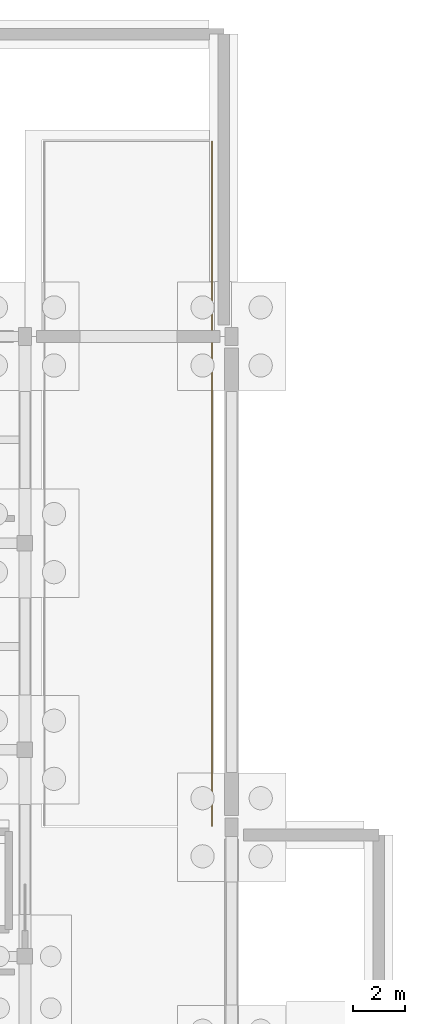
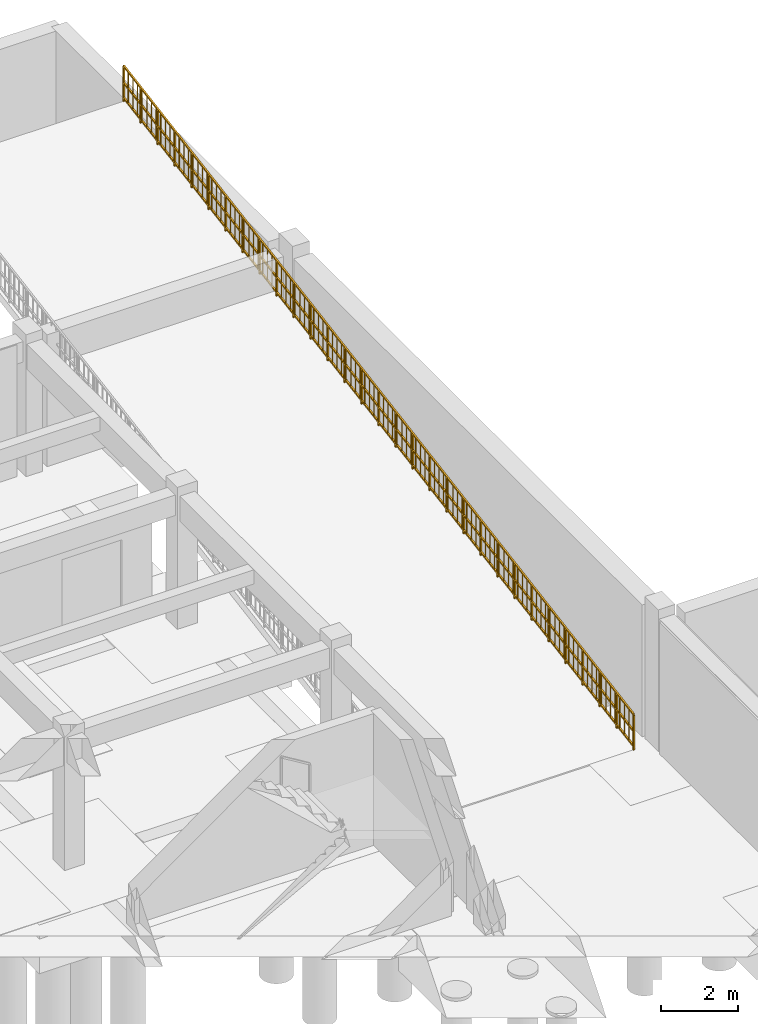
# One storey, part 10 of 11: 1 railing.
"""IFC4 building model written with IfcOpenShell, lengths in metres."""

import ifcopenshell
import ifcopenshell.guid

model = None  # the IFC model being written
_history = None  # IfcOwnerHistory: only IFC2X3 demands one
_inside = {}  # id of a spatial element -> (the spatial element, [elements in it])
_under = {}  # id of a project, library or spatial element -> (it, [spatial elements below it])
_declared = {}  # id of a project -> (the project, [libraries it declares])
_typed = {}  # id of a type object -> (the type object, [elements of that type])
_made_of = {}  # id of a material, layer set ... -> (it, [elements and type objects made of it])


def new_model(schema):
    """Start an empty IFC model of exactly this schema.

    Asked for "IFC4X3", IfcOpenShell would pick the latest addendum, in which some entities
    have other attributes; the version numbers below select the first issue.
    IFC2X3 requires an IfcOwnerHistory on every rooted entity: one is made here for all.
    """
    global model, _history
    if schema == "IFC4X3":
        model = ifcopenshell.file(schema_version=(4, 3, 0, 0))
    else:
        model = ifcopenshell.file(schema=schema)
    _inside.clear()
    _under.clear()
    _declared.clear()
    _typed.clear()
    _made_of.clear()
    _history = None
    if model.schema == "IFC2X3":
        org = make("IfcOrganization", Name="unknown")
        user = make(
            "IfcPersonAndOrganization",
            ThePerson=make("IfcPerson", FamilyName="unknown"),
            TheOrganization=org,
        )
        app = make(
            "IfcApplication",
            ApplicationDeveloper=org,
            Version="unknown",
            ApplicationFullName="unknown",
            ApplicationIdentifier="unknown",
        )
        _history = make(
            "IfcOwnerHistory",
            OwningUser=user,
            OwningApplication=app,
            ChangeAction="ADDED",
            CreationDate=0,
        )
    return model


def make(cls, **values):
    """One entity of the class cls with the attributes given. An attribute that is None is left unset."""
    return model.create_entity(
        cls, **{name: value for name, value in values.items() if value is not None}
    )


def rooted(cls, **values):
    """An entity with a GlobalId (a new one), such as an element, a storey or a relation."""
    return make(cls, GlobalId=ifcopenshell.guid.new(), OwnerHistory=_history, **values)


def si_unit(unit_type, name, prefix=None):
    """IfcSIUnit, for example si_unit("LENGTHUNIT", "METRE", prefix="MILLI")."""
    return make("IfcSIUnit", UnitType=unit_type, Prefix=prefix, Name=name)


def assignment(units):
    """IfcUnitAssignment: the units of a project."""
    return None if units is None else make("IfcUnitAssignment", Units=units)


def point(xyz):
    """IfcCartesianPoint."""
    return None if xyz is None else make("IfcCartesianPoint", Coordinates=xyz)


def direction(xyz):
    """IfcDirection."""
    return None if xyz is None else make("IfcDirection", DirectionRatios=xyz)


def frame(location, z_axis=None, x_axis=None):
    """IfcAxis2Placement3D, a coordinate frame: its origin and axes. An axis left out is left unset."""
    return make(
        "IfcAxis2Placement3D",
        Location=point(location),
        Axis=direction(z_axis),
        RefDirection=direction(x_axis),
    )


def frame_2d(location, x_axis=None):
    """IfcAxis2Placement2D, a coordinate frame in the plane: its origin and x axis."""
    return make(
        "IfcAxis2Placement2D", Location=point(location), RefDirection=direction(x_axis)
    )


def origin():
    """The frame at (0, 0, 0) with its axes left unset."""
    return frame((0.0, 0.0, 0.0))


def origin_2d():
    """The frame at (0, 0) in the plane with its x axis left unset."""
    return frame_2d((0.0, 0.0))


def place(relative_to, where):
    """IfcLocalPlacement: puts the frame where relative to a parent placement (None: the world)."""
    return make(
        "IfcLocalPlacement", PlacementRelTo=relative_to, RelativePlacement=where
    )


def context(
    kind, dimensions, precision=None, world=None, true_north=None, identifier=None
):
    """IfcGeometricRepresentationContext, for example the 3D "Model" context."""
    return make(
        "IfcGeometricRepresentationContext",
        ContextIdentifier=identifier,
        ContextType=kind,
        CoordinateSpaceDimension=dimensions,
        Precision=precision,
        WorldCoordinateSystem=world,
        TrueNorth=true_north,
    )


def subcontext(parent, identifier, kind, view, scale=None):
    """IfcGeometricRepresentationSubContext, for example "Body" below "Model"."""
    return make(
        "IfcGeometricRepresentationSubContext",
        ContextIdentifier=identifier,
        ContextType=kind,
        ParentContext=parent,
        TargetScale=scale,
        TargetView=view,
    )


def project(units=None, contexts=None):
    """IfcProject with its units and contexts."""
    return rooted(
        "IfcProject",
        Name="project",
        RepresentationContexts=contexts,
        UnitsInContext=assignment(units),
    )


def spatial(cls, under=None, at=None, **own):
    """A site, building, storey or space (cls), placed at a placement, below another one or the project."""
    s = rooted(cls, ObjectPlacement=at, **own)
    if under is not None:
        _under.setdefault(under.id(), (under, []))[1].append(s)
    return s


def profile(cls, at=None, kind="AREA", **sizes):
    """A parametric profile (cls). Its sizes go by their IFC names, for example OverallWidth=200.0."""
    return make(cls, ProfileType=kind, Position=at, **sizes)


def rectangle(**sizes):
    """IfcRectangleProfileDef."""
    return profile("IfcRectangleProfileDef", **sizes)


def extrude(swept, where, along, depth):
    """IfcExtrudedAreaSolid: the profile swept, set in the frame where, extruded along a direction by depth."""
    return make(
        "IfcExtrudedAreaSolid",
        SweptArea=swept,
        Position=where,
        ExtrudedDirection=direction(along),
        Depth=depth,
    )


def shape(context_of_items, identifier, shape_type, items):
    """IfcShapeRepresentation: the items that make up one representation, for example the "Body"."""
    return make(
        "IfcShapeRepresentation",
        ContextOfItems=context_of_items,
        RepresentationIdentifier=identifier,
        RepresentationType=shape_type,
        Items=items,
    )


def material(Name=None, Category=None):
    """IfcMaterial."""
    return make("IfcMaterial", Name=Name, Category=Category)


def layer(
    of_material, thickness, ventilated=None, Name=None, Category=None, Priority=None
):
    """IfcMaterialLayer: one layer of a wall or slab, of a material (None: an air gap)."""
    return make(
        "IfcMaterialLayer",
        Material=of_material,
        LayerThickness=thickness,
        IsVentilated=ventilated,
        Name=Name,
        Category=Category,
        Priority=Priority,
    )


def layer_set(layers, Name=None):
    """IfcMaterialLayerSet."""
    return make("IfcMaterialLayerSet", MaterialLayers=layers, LayerSetName=Name)


def made_of(thing, what):
    """Note that an element or type object is made of a material, layer set ...; save() writes the relation."""
    if what is not None:
        _made_of.setdefault(what.id(), (what, []))[1].append(thing)
    return thing


def type_object(cls, material=None, **own):
    """A type object (cls), such as IfcWallType, which elements share."""
    return made_of(rooted(cls, **own), material)


def element(
    cls,
    number,
    at=None,
    inside=None,
    cuts=None,
    type_object=None,
    material=None,
    context=None,
    identifier="Body",
    shape_type=None,
    held_by="IfcProductDefinitionShape",
    body=None,
    shapes=None,
    **own,
):
    """One element of the class cls, such as IfcWall. Its Tag is "e" and its number.

    at: its placement. inside: the storey or other place that contains it. cuts: it is an
    opening in that element (IfcRelVoidsElement). A single representation is given by context,
    identifier, shape_type and body (its items); several are given by shapes. held_by: the class
    of the entity that holds the representations. save() writes the other relations.
    """
    e = rooted(cls, Tag="e%d" % number, ObjectPlacement=at, **own)
    if body is not None:
        shapes = [shape(context, identifier, shape_type, body)]
    if shapes is not None:
        e.Representation = make(held_by, Representations=shapes)
    if inside is not None:
        _inside.setdefault(inside.id(), (inside, []))[1].append(e)
    if cuts is not None:
        rooted(
            "IfcRelVoidsElement", RelatingBuildingElement=cuts, RelatedOpeningElement=e
        )
    if type_object is not None:
        _typed.setdefault(type_object.id(), (type_object, []))[1].append(e)
    return made_of(e, material)


def aggregate(whole, parts):
    """IfcRelAggregates: a whole, such as a stair, and the parts it consists of."""
    return rooted("IfcRelAggregates", RelatingObject=whole, RelatedObjects=parts)


def save(model, path):
    """Write the relations noted so far, then the file.

    IfcRelAggregates (storeys below a building ...), IfcRelContainedInSpatialStructure (elements
    in a storey), IfcRelDefinesByType, IfcRelAssociatesMaterial and IfcRelDeclares: one each for
    every whole, place, type object, material and project.
    """
    for whole, parts in _under.values():
        aggregate(whole, parts)
    for where, things in _inside.values():
        rooted(
            "IfcRelContainedInSpatialStructure",
            RelatedElements=things,
            RelatingStructure=where,
        )
    for kind, things in _typed.values():
        rooted("IfcRelDefinesByType", RelatedObjects=things, RelatingType=kind)
    for what, things in _made_of.values():
        rooted("IfcRelAssociatesMaterial", RelatedObjects=things, RelatingMaterial=what)
    for by, libraries in _declared.values():
        rooted("IfcRelDeclares", RelatingContext=by, RelatedDefinitions=libraries)
    model.write(path)


model = new_model("IFC4")

# Units and contexts
model_context = context("Model", 3, precision=1e-05, world=origin(), true_north=direction((0.0, 1.0)))
body_context = subcontext(model_context, "Body", "Model", "MODEL_VIEW")
ifc_project = project(units=[si_unit("LENGTHUNIT", "METRE"), si_unit("AREAUNIT", "SQUARE_METRE"), si_unit("VOLUMEUNIT", "CUBIC_METRE"), si_unit("PLANEANGLEUNIT", "RADIAN"), si_unit("MASSUNIT", "GRAM", prefix="KILO")], contexts=[model_context])

# Site, building, storey
site_placement = place(None, origin())
site = spatial("IfcSite", under=ifc_project, at=site_placement, CompositionType="ELEMENT")
building_placement = place(site_placement, origin())
building = spatial("IfcBuilding", under=site, at=building_placement, Name="Serraluz Foothill Cableway Terminal", CompositionType="ELEMENT")
storey_placement = place(building_placement, frame((0.0, 0.0, -4.5)))
storey = spatial("IfcBuildingStorey", under=building, at=storey_placement, Name="B1", CompositionType="ELEMENT", Elevation=-4.5)

# Railing
ifc_material = material(Name="Steel ASTM A572 Grade 50", Category="steel")
ifc_layer = layer(ifc_material, 0.054931640625, Name="Steel ASTM A572 Grade 50", Category="steel")
ifc_layer_set = layer_set([ifc_layer], Name="Steel ASTM A572 Grade 50")
railing_type = type_object("IfcRailingType", Name="TYP-RL-GRD-1150", PredefinedType="GUARDRAIL", material=ifc_layer_set)
railing_placement = place(storey_placement, frame((111.239990234375, 85.050048828125, 0.0)))
element("IfcRailing", 1, at=railing_placement, inside=storey, type_object=railing_type, Name="GUARDRAIL GRD-B1-RMP-E", PredefinedType="GUARDRAIL", context=body_context, shape_type="SweptSolid", body=[
    extrude(rectangle(XDim=0.048095703125, YDim=0.048095703125, at=origin_2d()), frame((0.0, 0.0, 1.1259765625), z_axis=(0.0, 0.985888544643, 0.167403039228), x_axis=(-1.0, 0.0, 0.0)), (0.0, 0.0, 1.0), 2.687744140625),
    extrude(rectangle(XDim=0.048095703125, YDim=0.048095703125, at=origin_2d()), frame((0.0, 0.0, 0.597900390625), z_axis=(0.0, 0.985888544643, 0.167403039228), x_axis=(-1.0, 0.0, 0.0)), (0.0, 0.0, 1.0), 2.687744140625),
    extrude(rectangle(XDim=0.048095703125, YDim=0.048095703125, at=origin_2d()), frame((0.0, 0.0, 0.1201171875), z_axis=(0.0, 0.985888544643, 0.167403039228), x_axis=(-1.0, 0.0, 0.0)), (0.0, 0.0, 1.0), 2.687744140625),
    extrude(rectangle(XDim=0.02001953125, YDim=0.02001953125, at=origin_2d()), frame((0.0, 0.240966796875, 0.160888671875)), (0.0, 0.0, 1.0), 0.981689453125),
    extrude(rectangle(XDim=0.02001953125, YDim=0.02001953125, at=origin_2d()), frame((0.0, 0.481689453125, 0.201904296875)), (0.0, 0.0, 1.0), 0.981689453125),
    extrude(rectangle(XDim=0.02001953125, YDim=0.02001953125, at=origin_2d()), frame((0.0, 0.72265625, 0.24267578125)), (0.0, 0.0, 1.0), 0.981689453125),
    extrude(rectangle(XDim=0.02001953125, YDim=0.02001953125, at=origin_2d()), frame((0.0, 0.963623046875, 0.28369140625)), (0.0, 0.0, 1.0), 0.981689453125),
    extrude(rectangle(XDim=0.02001953125, YDim=0.02001953125, at=origin_2d()), frame((0.0, 1.20458984375, 0.324462890625)), (0.0, 0.0, 1.0), 0.981689453125),
    extrude(rectangle(XDim=0.02001953125, YDim=0.02001953125, at=origin_2d()), frame((0.0, 1.4453125, 0.365478515625)), (0.0, 0.0, 1.0), 0.981689453125),
    extrude(rectangle(XDim=0.02001953125, YDim=0.02001953125, at=origin_2d()), frame((0.0, 1.686279296875, 0.40625)), (0.0, 0.0, 1.0), 0.981689453125),
    extrude(rectangle(XDim=0.02001953125, YDim=0.02001953125, at=origin_2d()), frame((0.0, 1.92724609375, 0.447265625)), (0.0, 0.0, 1.0), 0.981689453125),
    extrude(rectangle(XDim=0.02001953125, YDim=0.02001953125, at=origin_2d()), frame((0.0, 2.168212890625, 0.488037109375)), (0.0, 0.0, 1.0), 0.981689453125),
    extrude(rectangle(XDim=0.02001953125, YDim=0.02001953125, at=origin_2d()), frame((0.0, 2.408935546875, 0.529052734375)), (0.0, 0.0, 1.0), 0.981689453125),
    extrude(rectangle(XDim=0.048095703125, YDim=0.048095703125, at=origin_2d()), frame((0.0, 2.64990234375, 1.57568359375), z_axis=(0.0, 0.985891089751, 0.1673880496), x_axis=(-1.0, 0.0, 0.0)), (0.0, 0.0, 1.0), 2.68798828125),
    extrude(rectangle(XDim=0.048095703125, YDim=0.048095703125, at=origin_2d()), frame((0.0, 2.64990234375, 1.0478515625), z_axis=(0.0, 0.985891089751, 0.1673880496), x_axis=(-1.0, 0.0, 0.0)), (0.0, 0.0, 1.0), 2.68798828125),
    extrude(rectangle(XDim=0.048095703125, YDim=0.048095703125, at=origin_2d()), frame((0.0, 2.64990234375, 0.570068359375), z_axis=(0.0, 0.985891089751, 0.1673880496), x_axis=(-1.0, 0.0, 0.0)), (0.0, 0.0, 1.0), 2.68798828125),
    extrude(rectangle(XDim=0.02001953125, YDim=0.02001953125, at=origin_2d()), frame((0.0, 2.890869140625, 0.61083984375)), (0.0, 0.0, 1.0), 0.981689453125),
    extrude(rectangle(XDim=0.02001953125, YDim=0.02001953125, at=origin_2d()), frame((0.0, 3.1318359375, 0.65185546875)), (0.0, 0.0, 1.0), 0.981689453125),
    extrude(rectangle(XDim=0.02001953125, YDim=0.02001953125, at=origin_2d()), frame((0.0, 3.37255859375, 0.692626953125)), (0.0, 0.0, 1.0), 0.981689453125),
    extrude(rectangle(XDim=0.02001953125, YDim=0.02001953125, at=origin_2d()), frame((0.0, 3.613525390625, 0.733642578125)), (0.0, 0.0, 1.0), 0.981689453125),
    extrude(rectangle(XDim=0.02001953125, YDim=0.02001953125, at=origin_2d()), frame((0.0, 3.8544921875, 0.7744140625)), (0.0, 0.0, 1.0), 0.981689453125),
    extrude(rectangle(XDim=0.02001953125, YDim=0.02001953125, at=origin_2d()), frame((0.0, 4.095458984375, 0.8154296875)), (0.0, 0.0, 1.0), 0.981689453125),
    extrude(rectangle(XDim=0.02001953125, YDim=0.02001953125, at=origin_2d()), frame((0.0, 4.33642578125, 0.856201171875)), (0.0, 0.0, 1.0), 0.981689453125),
    extrude(rectangle(XDim=0.02001953125, YDim=0.02001953125, at=origin_2d()), frame((0.0, 4.577392578125, 0.897216796875)), (0.0, 0.0, 1.0), 0.981689453125),
    extrude(rectangle(XDim=0.02001953125, YDim=0.02001953125, at=origin_2d()), frame((0.0, 4.818115234375, 0.93798828125)), (0.0, 0.0, 1.0), 0.981689453125),
    extrude(rectangle(XDim=0.02001953125, YDim=0.02001953125, at=origin_2d()), frame((0.0, 5.05908203125, 0.97900390625)), (0.0, 0.0, 1.0), 0.981689453125),
    extrude(rectangle(XDim=0.048095703125, YDim=0.048095703125, at=origin_2d()), frame((0.0, 5.300048828125, 2.02587890625), z_axis=(0.0, 0.985873549967, 0.16749132358), x_axis=(-1.0, 0.0, 0.0)), (0.0, 0.0, 1.0), 2.68798828125),
    extrude(rectangle(XDim=0.048095703125, YDim=0.048095703125, at=origin_2d()), frame((0.0, 5.300048828125, 1.497802734375), z_axis=(0.0, 0.985873549967, 0.16749132358), x_axis=(-1.0, 0.0, 0.0)), (0.0, 0.0, 1.0), 2.68798828125),
    extrude(rectangle(XDim=0.048095703125, YDim=0.048095703125, at=origin_2d()), frame((0.0, 5.300048828125, 1.02001953125), z_axis=(0.0, 0.985873549967, 0.16749132358), x_axis=(-1.0, 0.0, 0.0)), (0.0, 0.0, 1.0), 2.68798828125),
    extrude(rectangle(XDim=0.02001953125, YDim=0.02001953125, at=origin_2d()), frame((0.0, 5.541015625, 1.060791015625)), (0.0, 0.0, 1.0), 0.981689453125),
    extrude(rectangle(XDim=0.02001953125, YDim=0.02001953125, at=origin_2d()), frame((0.0, 5.78173828125, 1.101806640625)), (0.0, 0.0, 1.0), 0.981689453125),
    extrude(rectangle(XDim=0.02001953125, YDim=0.02001953125, at=origin_2d()), frame((0.0, 6.022705078125, 1.142578125)), (0.0, 0.0, 1.0), 0.981689453125),
    extrude(rectangle(XDim=0.02001953125, YDim=0.02001953125, at=origin_2d()), frame((0.0, 6.263671875, 1.18359375)), (0.0, 0.0, 1.0), 0.981689453125),
    extrude(rectangle(XDim=0.02001953125, YDim=0.02001953125, at=origin_2d()), frame((0.0, 6.504638671875, 1.224609375)), (0.0, 0.0, 1.0), 0.981689453125),
    extrude(rectangle(XDim=0.02001953125, YDim=0.02001953125, at=origin_2d()), frame((0.0, 6.745361328125, 1.265380859375)), (0.0, 0.0, 1.0), 0.981689453125),
    extrude(rectangle(XDim=0.02001953125, YDim=0.02001953125, at=origin_2d()), frame((0.0, 6.986328125, 1.306396484375)), (0.0, 0.0, 1.0), 0.981689453125),
    extrude(rectangle(XDim=0.02001953125, YDim=0.02001953125, at=origin_2d()), frame((0.0, 7.227294921875, 1.347412109375)), (0.0, 0.0, 1.0), 0.981689453125),
    extrude(rectangle(XDim=0.02001953125, YDim=0.02001953125, at=origin_2d()), frame((0.0, 7.46826171875, 1.38818359375)), (0.0, 0.0, 1.0), 0.981689453125),
    extrude(rectangle(XDim=0.02001953125, YDim=0.02001953125, at=origin_2d()), frame((0.0, 7.708984375, 1.42919921875)), (0.0, 0.0, 1.0), 0.981689453125),
    extrude(rectangle(XDim=0.048095703125, YDim=0.048095703125, at=origin_2d()), frame((0.0, 7.949951171875, 2.47607421875), z_axis=(0.0, 0.985888544643, 0.167403039228), x_axis=(-1.0, 0.0, 0.0)), (0.0, 0.0, 1.0), 2.687744140625),
    extrude(rectangle(XDim=0.048095703125, YDim=0.048095703125, at=origin_2d()), frame((0.0, 7.949951171875, 1.947998046875), z_axis=(0.0, 0.985888544643, 0.167403039228), x_axis=(-1.0, 0.0, 0.0)), (0.0, 0.0, 1.0), 2.687744140625),
    extrude(rectangle(XDim=0.048095703125, YDim=0.048095703125, at=origin_2d()), frame((0.0, 7.949951171875, 1.47021484375), z_axis=(0.0, 0.985888544643, 0.167403039228), x_axis=(-1.0, 0.0, 0.0)), (0.0, 0.0, 1.0), 2.687744140625),
    extrude(rectangle(XDim=0.02001953125, YDim=0.02001953125, at=origin_2d()), frame((0.0, 8.19091796875, 1.510986328125)), (0.0, 0.0, 1.0), 0.981689453125),
    extrude(rectangle(XDim=0.02001953125, YDim=0.02001953125, at=origin_2d()), frame((0.0, 8.431640625, 1.552001953125)), (0.0, 0.0, 1.0), 0.981689453125),
    extrude(rectangle(XDim=0.02001953125, YDim=0.02001953125, at=origin_2d()), frame((0.0, 8.672607421875, 1.5927734375)), (0.0, 0.0, 1.0), 0.981689453125),
    extrude(rectangle(XDim=0.02001953125, YDim=0.02001953125, at=origin_2d()), frame((0.0, 8.91357421875, 1.6337890625)), (0.0, 0.0, 1.0), 0.981689453125),
    extrude(rectangle(XDim=0.02001953125, YDim=0.02001953125, at=origin_2d()), frame((0.0, 9.154541015625, 1.674560546875)), (0.0, 0.0, 1.0), 0.981689453125),
    extrude(rectangle(XDim=0.02001953125, YDim=0.02001953125, at=origin_2d()), frame((0.0, 9.395263671875, 1.715576171875)), (0.0, 0.0, 1.0), 0.981689453125),
    extrude(rectangle(XDim=0.02001953125, YDim=0.02001953125, at=origin_2d()), frame((0.0, 9.63623046875, 1.75634765625)), (0.0, 0.0, 1.0), 0.981689453125),
    extrude(rectangle(XDim=0.02001953125, YDim=0.02001953125, at=origin_2d()), frame((0.0, 9.877197265625, 1.79736328125)), (0.0, 0.0, 1.0), 0.981689453125),
    extrude(rectangle(XDim=0.02001953125, YDim=0.02001953125, at=origin_2d()), frame((0.0, 10.1181640625, 1.838134765625)), (0.0, 0.0, 1.0), 0.981689453125),
    extrude(rectangle(XDim=0.02001953125, YDim=0.02001953125, at=origin_2d()), frame((0.0, 10.35888671875, 1.879150390625)), (0.0, 0.0, 1.0), 0.981689453125),
    extrude(rectangle(XDim=0.048095703125, YDim=0.048095703125, at=origin_2d()), frame((0.0, 10.599853515625, 2.92578125), z_axis=(0.0, 0.985891089751, 0.1673880496), x_axis=(-1.0, 0.0, 0.0)), (0.0, 0.0, 1.0), 2.68798828125),
    extrude(rectangle(XDim=0.048095703125, YDim=0.048095703125, at=origin_2d()), frame((0.0, 10.599853515625, 2.39794921875), z_axis=(0.0, 0.985891089751, 0.1673880496), x_axis=(-1.0, 0.0, 0.0)), (0.0, 0.0, 1.0), 2.68798828125),
    extrude(rectangle(XDim=0.048095703125, YDim=0.048095703125, at=origin_2d()), frame((0.0, 10.599853515625, 1.920166015625), z_axis=(0.0, 0.985891089751, 0.1673880496), x_axis=(-1.0, 0.0, 0.0)), (0.0, 0.0, 1.0), 2.68798828125),
    extrude(rectangle(XDim=0.02001953125, YDim=0.02001953125, at=origin_2d()), frame((0.0, 10.8408203125, 1.9609375)), (0.0, 0.0, 1.0), 0.981689453125),
    extrude(rectangle(XDim=0.02001953125, YDim=0.02001953125, at=origin_2d()), frame((0.0, 11.081787109375, 2.001953125)), (0.0, 0.0, 1.0), 0.981689453125),
    extrude(rectangle(XDim=0.02001953125, YDim=0.02001953125, at=origin_2d()), frame((0.0, 11.322509765625, 2.042724609375)), (0.0, 0.0, 1.0), 0.981689453125),
    extrude(rectangle(XDim=0.02001953125, YDim=0.02001953125, at=origin_2d()), frame((0.0, 11.5634765625, 2.083740234375)), (0.0, 0.0, 1.0), 0.981689453125),
    extrude(rectangle(XDim=0.02001953125, YDim=0.02001953125, at=origin_2d()), frame((0.0, 11.804443359375, 2.12451171875)), (0.0, 0.0, 1.0), 0.981689453125),
    extrude(rectangle(XDim=0.02001953125, YDim=0.02001953125, at=origin_2d()), frame((0.0, 12.04541015625, 2.16552734375)), (0.0, 0.0, 1.0), 0.981689453125),
    extrude(rectangle(XDim=0.02001953125, YDim=0.02001953125, at=origin_2d()), frame((0.0, 12.286376953125, 2.206298828125)), (0.0, 0.0, 1.0), 0.981689453125),
    extrude(rectangle(XDim=0.02001953125, YDim=0.02001953125, at=origin_2d()), frame((0.0, 12.52734375, 2.247314453125)), (0.0, 0.0, 1.0), 0.981689453125),
    extrude(rectangle(XDim=0.02001953125, YDim=0.02001953125, at=origin_2d()), frame((0.0, 12.76806640625, 2.2880859375)), (0.0, 0.0, 1.0), 0.981689453125),
    extrude(rectangle(XDim=0.02001953125, YDim=0.02001953125, at=origin_2d()), frame((0.0, 13.009033203125, 2.3291015625)), (0.0, 0.0, 1.0), 0.981689453125),
    extrude(rectangle(XDim=0.048095703125, YDim=0.048095703125, at=origin_2d()), frame((0.0, 13.25, 3.3759765625), z_axis=(0.0, 0.985888544643, 0.167403039228), x_axis=(-1.0, 0.0, 0.0)), (0.0, 0.0, 1.0), 2.687744140625),
    extrude(rectangle(XDim=0.048095703125, YDim=0.048095703125, at=origin_2d()), frame((0.0, 13.25, 2.847900390625), z_axis=(0.0, 0.985888544643, 0.167403039228), x_axis=(-1.0, 0.0, 0.0)), (0.0, 0.0, 1.0), 2.687744140625),
    extrude(rectangle(XDim=0.048095703125, YDim=0.048095703125, at=origin_2d()), frame((0.0, 13.25, 2.3701171875), z_axis=(0.0, 0.985888544643, 0.167403039228), x_axis=(-1.0, 0.0, 0.0)), (0.0, 0.0, 1.0), 2.687744140625),
    extrude(rectangle(XDim=0.02001953125, YDim=0.02001953125, at=origin_2d()), frame((0.0, 13.490966796875, 2.410888671875)), (0.0, 0.0, 1.0), 0.981689453125),
    extrude(rectangle(XDim=0.02001953125, YDim=0.02001953125, at=origin_2d()), frame((0.0, 13.731689453125, 2.451904296875)), (0.0, 0.0, 1.0), 0.981689453125),
    extrude(rectangle(XDim=0.02001953125, YDim=0.02001953125, at=origin_2d()), frame((0.0, 13.97265625, 2.49267578125)), (0.0, 0.0, 1.0), 0.981689453125),
    extrude(rectangle(XDim=0.02001953125, YDim=0.02001953125, at=origin_2d()), frame((0.0, 14.213623046875, 2.53369140625)), (0.0, 0.0, 1.0), 0.981689453125),
    extrude(rectangle(XDim=0.02001953125, YDim=0.02001953125, at=origin_2d()), frame((0.0, 14.45458984375, 2.574462890625)), (0.0, 0.0, 1.0), 0.981689453125),
    extrude(rectangle(XDim=0.02001953125, YDim=0.02001953125, at=origin_2d()), frame((0.0, 14.6953125, 2.615478515625)), (0.0, 0.0, 1.0), 0.981689453125),
    extrude(rectangle(XDim=0.02001953125, YDim=0.02001953125, at=origin_2d()), frame((0.0, 14.936279296875, 2.65625)), (0.0, 0.0, 1.0), 0.981689453125),
    extrude(rectangle(XDim=0.02001953125, YDim=0.02001953125, at=origin_2d()), frame((0.0, 15.17724609375, 2.697265625)), (0.0, 0.0, 1.0), 0.981689453125),
    extrude(rectangle(XDim=0.02001953125, YDim=0.02001953125, at=origin_2d()), frame((0.0, 15.418212890625, 2.738037109375)), (0.0, 0.0, 1.0), 0.981689453125),
    extrude(rectangle(XDim=0.02001953125, YDim=0.02001953125, at=origin_2d()), frame((0.0, 15.658935546875, 2.779052734375)), (0.0, 0.0, 1.0), 0.981689453125),
    extrude(rectangle(XDim=0.048095703125, YDim=0.048095703125, at=origin_2d()), frame((0.0, 15.89990234375, 3.82568359375), z_axis=(0.0, 0.985891089751, 0.1673880496), x_axis=(-1.0, 0.0, 0.0)), (0.0, 0.0, 1.0), 2.68798828125),
    extrude(rectangle(XDim=0.048095703125, YDim=0.048095703125, at=origin_2d()), frame((0.0, 15.89990234375, 3.2978515625), z_axis=(0.0, 0.985891089751, 0.1673880496), x_axis=(-1.0, 0.0, 0.0)), (0.0, 0.0, 1.0), 2.68798828125),
    extrude(rectangle(XDim=0.048095703125, YDim=0.048095703125, at=origin_2d()), frame((0.0, 15.89990234375, 2.820068359375), z_axis=(0.0, 0.985891089751, 0.1673880496), x_axis=(-1.0, 0.0, 0.0)), (0.0, 0.0, 1.0), 2.68798828125),
    extrude(rectangle(XDim=0.02001953125, YDim=0.02001953125, at=origin_2d()), frame((0.0, 16.140869140625, 2.86083984375)), (0.0, 0.0, 1.0), 0.981689453125),
    extrude(rectangle(XDim=0.02001953125, YDim=0.02001953125, at=origin_2d()), frame((0.0, 16.3818359375, 2.90185546875)), (0.0, 0.0, 1.0), 0.981689453125),
    extrude(rectangle(XDim=0.02001953125, YDim=0.02001953125, at=origin_2d()), frame((0.0, 16.62255859375, 2.942626953125)), (0.0, 0.0, 1.0), 0.981689453125),
    extrude(rectangle(XDim=0.02001953125, YDim=0.02001953125, at=origin_2d()), frame((0.0, 16.863525390625, 2.983642578125)), (0.0, 0.0, 1.0), 0.981689453125),
    extrude(rectangle(XDim=0.02001953125, YDim=0.02001953125, at=origin_2d()), frame((0.0, 17.1044921875, 3.0244140625)), (0.0, 0.0, 1.0), 0.981689453125),
    extrude(rectangle(XDim=0.02001953125, YDim=0.02001953125, at=origin_2d()), frame((0.0, 17.345458984375, 3.0654296875)), (0.0, 0.0, 1.0), 0.981689453125),
    extrude(rectangle(XDim=0.02001953125, YDim=0.02001953125, at=origin_2d()), frame((0.0, 17.58642578125, 3.106201171875)), (0.0, 0.0, 1.0), 0.981689453125),
    extrude(rectangle(XDim=0.02001953125, YDim=0.02001953125, at=origin_2d()), frame((0.0, 17.827392578125, 3.147216796875)), (0.0, 0.0, 1.0), 0.981689453125),
    extrude(rectangle(XDim=0.02001953125, YDim=0.02001953125, at=origin_2d()), frame((0.0, 18.068115234375, 3.18798828125)), (0.0, 0.0, 1.0), 0.981689453125),
    extrude(rectangle(XDim=0.02001953125, YDim=0.02001953125, at=origin_2d()), frame((0.0, 18.30908203125, 3.22900390625)), (0.0, 0.0, 1.0), 0.981689453125),
    extrude(rectangle(XDim=0.048095703125, YDim=0.048095703125, at=origin_2d()), frame((0.0, 18.550048828125, 4.27587890625), z_axis=(0.0, 0.985873549967, 0.16749132358), x_axis=(-1.0, 0.0, 0.0)), (0.0, 0.0, 1.0), 2.68798828125),
    extrude(rectangle(XDim=0.048095703125, YDim=0.048095703125, at=origin_2d()), frame((0.0, 18.550048828125, 3.747802734375), z_axis=(0.0, 0.985873549967, 0.16749132358), x_axis=(-1.0, 0.0, 0.0)), (0.0, 0.0, 1.0), 2.68798828125),
    extrude(rectangle(XDim=0.048095703125, YDim=0.048095703125, at=origin_2d()), frame((0.0, 18.550048828125, 3.27001953125), z_axis=(0.0, 0.985873549967, 0.16749132358), x_axis=(-1.0, 0.0, 0.0)), (0.0, 0.0, 1.0), 2.68798828125),
    extrude(rectangle(XDim=0.02001953125, YDim=0.02001953125, at=origin_2d()), frame((0.0, 18.791015625, 3.310791015625)), (0.0, 0.0, 1.0), 0.981689453125),
    extrude(rectangle(XDim=0.02001953125, YDim=0.02001953125, at=origin_2d()), frame((0.0, 19.03173828125, 3.351806640625)), (0.0, 0.0, 1.0), 0.981689453125),
    extrude(rectangle(XDim=0.02001953125, YDim=0.02001953125, at=origin_2d()), frame((0.0, 19.272705078125, 3.392578125)), (0.0, 0.0, 1.0), 0.981689453125),
    extrude(rectangle(XDim=0.02001953125, YDim=0.02001953125, at=origin_2d()), frame((0.0, 19.513671875, 3.43359375)), (0.0, 0.0, 1.0), 0.981689453125),
    extrude(rectangle(XDim=0.02001953125, YDim=0.02001953125, at=origin_2d()), frame((0.0, 19.754638671875, 3.474609375)), (0.0, 0.0, 1.0), 0.981689453125),
    extrude(rectangle(XDim=0.02001953125, YDim=0.02001953125, at=origin_2d()), frame((0.0, 19.995361328125, 3.515380859375)), (0.0, 0.0, 1.0), 0.981689453125),
    extrude(rectangle(XDim=0.02001953125, YDim=0.02001953125, at=origin_2d()), frame((0.0, 20.236328125, 3.556396484375)), (0.0, 0.0, 1.0), 0.981689453125),
    extrude(rectangle(XDim=0.02001953125, YDim=0.02001953125, at=origin_2d()), frame((0.0, 20.477294921875, 3.597412109375)), (0.0, 0.0, 1.0), 0.981689453125),
    extrude(rectangle(XDim=0.02001953125, YDim=0.02001953125, at=origin_2d()), frame((0.0, 20.71826171875, 3.63818359375)), (0.0, 0.0, 1.0), 0.981689453125),
    extrude(rectangle(XDim=0.02001953125, YDim=0.02001953125, at=origin_2d()), frame((0.0, 20.958984375, 3.67919921875)), (0.0, 0.0, 1.0), 0.981689453125),
    extrude(rectangle(XDim=0.048095703125, YDim=0.048095703125, at=origin_2d()), frame((0.0, 21.199951171875, 4.72607421875), z_axis=(0.0, 0.985888544643, 0.167403039228), x_axis=(-1.0, 0.0, 0.0)), (0.0, 0.0, 1.0), 2.687744140625),
    extrude(rectangle(XDim=0.048095703125, YDim=0.048095703125, at=origin_2d()), frame((0.0, 21.199951171875, 4.197998046875), z_axis=(0.0, 0.985888544643, 0.167403039228), x_axis=(-1.0, 0.0, 0.0)), (0.0, 0.0, 1.0), 2.687744140625),
    extrude(rectangle(XDim=0.048095703125, YDim=0.048095703125, at=origin_2d()), frame((0.0, 21.199951171875, 3.72021484375), z_axis=(0.0, 0.985888544643, 0.167403039228), x_axis=(-1.0, 0.0, 0.0)), (0.0, 0.0, 1.0), 2.687744140625),
    extrude(rectangle(XDim=0.02001953125, YDim=0.02001953125, at=origin_2d()), frame((0.0, 21.44091796875, 3.760986328125)), (0.0, 0.0, 1.0), 0.981689453125),
    extrude(rectangle(XDim=0.02001953125, YDim=0.02001953125, at=origin_2d()), frame((0.0, 21.681640625, 3.802001953125)), (0.0, 0.0, 1.0), 0.981689453125),
    extrude(rectangle(XDim=0.02001953125, YDim=0.02001953125, at=origin_2d()), frame((0.0, 21.922607421875, 3.8427734375)), (0.0, 0.0, 1.0), 0.981689453125),
    extrude(rectangle(XDim=0.02001953125, YDim=0.02001953125, at=origin_2d()), frame((0.0, 22.16357421875, 3.8837890625)), (0.0, 0.0, 1.0), 0.981689453125),
    extrude(rectangle(XDim=0.02001953125, YDim=0.02001953125, at=origin_2d()), frame((0.0, 22.404541015625, 3.924560546875)), (0.0, 0.0, 1.0), 0.981689453125),
    extrude(rectangle(XDim=0.02001953125, YDim=0.02001953125, at=origin_2d()), frame((0.0, 22.645263671875, 3.965576171875)), (0.0, 0.0, 1.0), 0.981689453125),
    extrude(rectangle(XDim=0.02001953125, YDim=0.02001953125, at=origin_2d()), frame((0.0, 22.88623046875, 4.00634765625)), (0.0, 0.0, 1.0), 0.981689453125),
    extrude(rectangle(XDim=0.02001953125, YDim=0.02001953125, at=origin_2d()), frame((0.0, 23.127197265625, 4.04736328125)), (0.0, 0.0, 1.0), 0.981689453125),
    extrude(rectangle(XDim=0.02001953125, YDim=0.02001953125, at=origin_2d()), frame((0.0, 23.3681640625, 4.088134765625)), (0.0, 0.0, 1.0), 0.981689453125),
    extrude(rectangle(XDim=0.02001953125, YDim=0.02001953125, at=origin_2d()), frame((0.0, 23.60888671875, 4.129150390625)), (0.0, 0.0, 1.0), 0.981689453125),
    extrude(rectangle(XDim=0.048095703125, YDim=0.048095703125, at=origin_2d()), frame((0.0, 23.849853515625, 5.17578125), z_axis=(0.0, 0.985891089751, 0.1673880496), x_axis=(-1.0, 0.0, 0.0)), (0.0, 0.0, 1.0), 2.68798828125),
    extrude(rectangle(XDim=0.048095703125, YDim=0.048095703125, at=origin_2d()), frame((0.0, 23.849853515625, 4.64794921875), z_axis=(0.0, 0.985891089751, 0.1673880496), x_axis=(-1.0, 0.0, 0.0)), (0.0, 0.0, 1.0), 2.68798828125),
    extrude(rectangle(XDim=0.048095703125, YDim=0.048095703125, at=origin_2d()), frame((0.0, 23.849853515625, 4.170166015625), z_axis=(0.0, 0.985891089751, 0.1673880496), x_axis=(-1.0, 0.0, 0.0)), (0.0, 0.0, 1.0), 2.68798828125),
    extrude(rectangle(XDim=0.02001953125, YDim=0.02001953125, at=origin_2d()), frame((0.0, 24.0908203125, 4.2109375)), (0.0, 0.0, 1.0), 0.981689453125),
    extrude(rectangle(XDim=0.02001953125, YDim=0.02001953125, at=origin_2d()), frame((0.0, 24.331787109375, 4.251953125)), (0.0, 0.0, 1.0), 0.981689453125),
    extrude(rectangle(XDim=0.02001953125, YDim=0.02001953125, at=origin_2d()), frame((0.0, 24.572509765625, 4.292724609375)), (0.0, 0.0, 1.0), 0.981689453125),
    extrude(rectangle(XDim=0.02001953125, YDim=0.02001953125, at=origin_2d()), frame((0.0, 24.8134765625, 4.333740234375)), (0.0, 0.0, 1.0), 0.981689453125),
    extrude(rectangle(XDim=0.02001953125, YDim=0.02001953125, at=origin_2d()), frame((0.0, 25.054443359375, 4.37451171875)), (0.0, 0.0, 1.0), 0.981689453125),
    extrude(rectangle(XDim=0.02001953125, YDim=0.02001953125, at=origin_2d()), frame((0.0, 25.29541015625, 4.41552734375)), (0.0, 0.0, 1.0), 0.981689453125),
    extrude(rectangle(XDim=0.02001953125, YDim=0.02001953125, at=origin_2d()), frame((0.0, 25.536376953125, 4.456298828125)), (0.0, 0.0, 1.0), 0.981689453125),
    extrude(rectangle(XDim=0.02001953125, YDim=0.02001953125, at=origin_2d()), frame((0.0, 25.77734375, 4.497314453125)), (0.0, 0.0, 1.0), 0.981689453125),
    extrude(rectangle(XDim=0.02001953125, YDim=0.02001953125, at=origin_2d()), frame((0.0, 26.01806640625, 4.5380859375)), (0.0, 0.0, 1.0), 0.981689453125),
    extrude(rectangle(XDim=0.02001953125, YDim=0.02001953125, at=origin_2d()), frame((0.0, 26.259033203125, 4.5791015625)), (0.0, 0.0, 1.0), 0.981689453125),
    extrude(rectangle(XDim=0.0439453125, YDim=0.0439453125, at=origin_2d()), origin(), (0.0, 0.0, 1.0), 1.101806640625),
    extrude(rectangle(XDim=0.0439453125, YDim=0.0439453125, at=origin_2d()), frame((0.0, 0.88330078125, 0.14990234375)), (0.0, 0.0, 1.0), 1.101806640625),
    extrude(rectangle(XDim=0.0439453125, YDim=0.0439453125, at=origin_2d()), frame((0.0, 1.7666015625, 0.300048828125)), (0.0, 0.0, 1.0), 1.101806640625),
    extrude(rectangle(XDim=0.0439453125, YDim=0.0439453125, at=origin_2d()), frame((0.0, 2.64990234375, 0.449951171875)), (0.0, 0.0, 1.0), 1.101806640625),
    extrude(rectangle(XDim=0.0439453125, YDim=0.0439453125, at=origin_2d()), frame((0.0, 3.533203125, 0.599853515625)), (0.0, 0.0, 1.0), 1.101806640625),
    extrude(rectangle(XDim=0.0439453125, YDim=0.0439453125, at=origin_2d()), frame((0.0, 4.416748046875, 0.75)), (0.0, 0.0, 1.0), 1.101806640625),
    extrude(rectangle(XDim=0.0439453125, YDim=0.0439453125, at=origin_2d()), frame((0.0, 5.300048828125, 0.89990234375)), (0.0, 0.0, 1.0), 1.101806640625),
    extrude(rectangle(XDim=0.0439453125, YDim=0.0439453125, at=origin_2d()), frame((0.0, 6.183349609375, 1.050048828125)), (0.0, 0.0, 1.0), 1.101806640625),
    extrude(rectangle(XDim=0.0439453125, YDim=0.0439453125, at=origin_2d()), frame((0.0, 7.066650390625, 1.199951171875)), (0.0, 0.0, 1.0), 1.101806640625),
    extrude(rectangle(XDim=0.0439453125, YDim=0.0439453125, at=origin_2d()), frame((0.0, 7.949951171875, 1.35009765625)), (0.0, 0.0, 1.0), 1.101806640625),
    extrude(rectangle(XDim=0.0439453125, YDim=0.0439453125, at=origin_2d()), frame((0.0, 8.833251953125, 1.5)), (0.0, 0.0, 1.0), 1.101806640625),
    extrude(rectangle(XDim=0.0439453125, YDim=0.0439453125, at=origin_2d()), frame((0.0, 9.716552734375, 1.650146484375)), (0.0, 0.0, 1.0), 1.101806640625),
    extrude(rectangle(XDim=0.0439453125, YDim=0.0439453125, at=origin_2d()), frame((0.0, 10.599853515625, 1.800048828125)), (0.0, 0.0, 1.0), 1.101806640625),
    extrude(rectangle(XDim=0.0439453125, YDim=0.0439453125, at=origin_2d()), frame((0.0, 11.483154296875, 1.949951171875)), (0.0, 0.0, 1.0), 1.101806640625),
    extrude(rectangle(XDim=0.0439453125, YDim=0.0439453125, at=origin_2d()), frame((0.0, 12.36669921875, 2.10009765625)), (0.0, 0.0, 1.0), 1.101806640625),
    extrude(rectangle(XDim=0.0439453125, YDim=0.0439453125, at=origin_2d()), frame((0.0, 13.25, 2.25)), (0.0, 0.0, 1.0), 1.101806640625),
    extrude(rectangle(XDim=0.0439453125, YDim=0.0439453125, at=origin_2d()), frame((0.0, 14.13330078125, 2.39990234375)), (0.0, 0.0, 1.0), 1.101806640625),
    extrude(rectangle(XDim=0.0439453125, YDim=0.0439453125, at=origin_2d()), frame((0.0, 15.0166015625, 2.550048828125)), (0.0, 0.0, 1.0), 1.101806640625),
    extrude(rectangle(XDim=0.0439453125, YDim=0.0439453125, at=origin_2d()), frame((0.0, 15.89990234375, 2.699951171875)), (0.0, 0.0, 1.0), 1.101806640625),
    extrude(rectangle(XDim=0.0439453125, YDim=0.0439453125, at=origin_2d()), frame((0.0, 16.783203125, 2.849853515625)), (0.0, 0.0, 1.0), 1.101806640625),
    extrude(rectangle(XDim=0.0439453125, YDim=0.0439453125, at=origin_2d()), frame((0.0, 17.666748046875, 3.0)), (0.0, 0.0, 1.0), 1.101806640625),
    extrude(rectangle(XDim=0.0439453125, YDim=0.0439453125, at=origin_2d()), frame((0.0, 18.550048828125, 3.14990234375)), (0.0, 0.0, 1.0), 1.101806640625),
    extrude(rectangle(XDim=0.0439453125, YDim=0.0439453125, at=origin_2d()), frame((0.0, 19.433349609375, 3.300048828125)), (0.0, 0.0, 1.0), 1.101806640625),
    extrude(rectangle(XDim=0.0439453125, YDim=0.0439453125, at=origin_2d()), frame((0.0, 20.316650390625, 3.449951171875)), (0.0, 0.0, 1.0), 1.101806640625),
    extrude(rectangle(XDim=0.0439453125, YDim=0.0439453125, at=origin_2d()), frame((0.0, 21.199951171875, 3.60009765625)), (0.0, 0.0, 1.0), 1.101806640625),
    extrude(rectangle(XDim=0.0439453125, YDim=0.0439453125, at=origin_2d()), frame((0.0, 22.083251953125, 3.75)), (0.0, 0.0, 1.0), 1.101806640625),
    extrude(rectangle(XDim=0.0439453125, YDim=0.0439453125, at=origin_2d()), frame((0.0, 22.966552734375, 3.900146484375)), (0.0, 0.0, 1.0), 1.101806640625),
    extrude(rectangle(XDim=0.0439453125, YDim=0.0439453125, at=origin_2d()), frame((0.0, 23.849853515625, 4.050048828125)), (0.0, 0.0, 1.0), 1.101806640625),
    extrude(rectangle(XDim=0.0439453125, YDim=0.0439453125, at=origin_2d()), frame((0.0, 24.733154296875, 4.199951171875)), (0.0, 0.0, 1.0), 1.101806640625),
    extrude(rectangle(XDim=0.0439453125, YDim=0.0439453125, at=origin_2d()), frame((0.0, 25.61669921875, 4.35009765625)), (0.0, 0.0, 1.0), 1.101806640625),
    extrude(rectangle(XDim=0.0439453125, YDim=0.0439453125, at=origin_2d()), frame((0.0, 26.5, 4.5)), (0.0, 0.0, 1.0), 1.101806640625),
])

save(model, "model.ifc")
